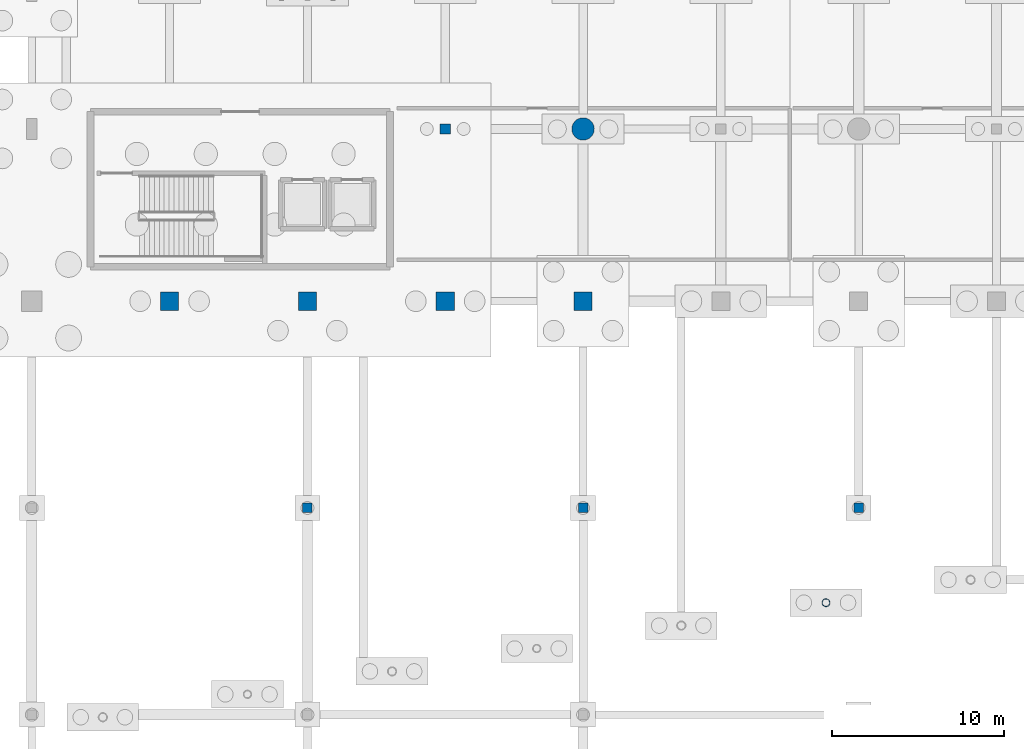
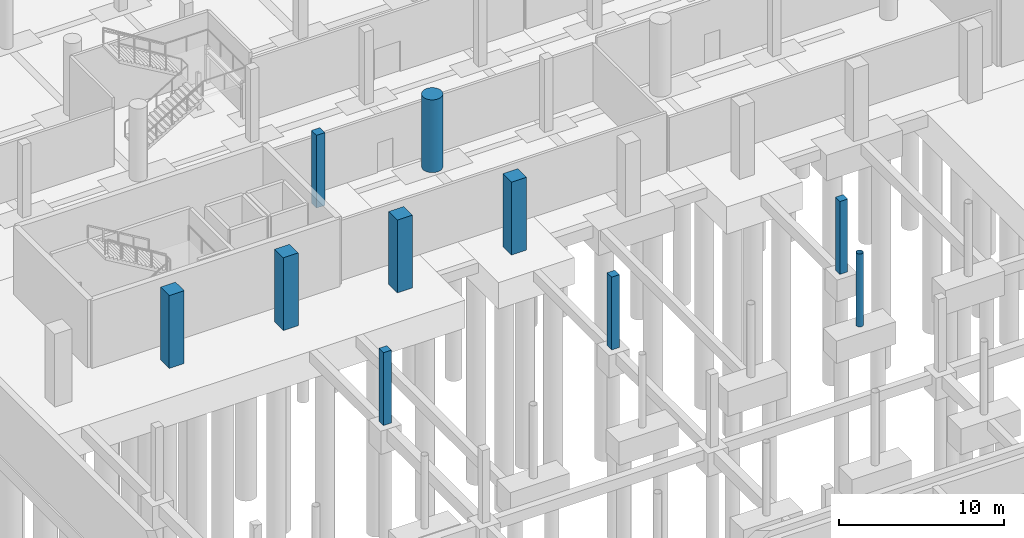
# One storey, part 23 of 65: 10 columns.
"""IFC4 building model written with IfcOpenShell, lengths in metres."""

from ifc_helpers import new_model, si_unit, direction, frame, origin, origin_2d, place, context, subcontext, project, spatial, rectangle, circle, hollow_circle, extrude, material, material_profile, profile_set, type_object, element, save


model = new_model("IFC4")

# Units and contexts
model_context = context("Model", 3, precision=1e-05, world=origin(), true_north=direction((0.0, 1.0)))
body_context = subcontext(model_context, "Body", "Model", "MODEL_VIEW")
ifc_project = project(units=[si_unit("LENGTHUNIT", "METRE"), si_unit("AREAUNIT", "SQUARE_METRE"), si_unit("VOLUMEUNIT", "CUBIC_METRE"), si_unit("PLANEANGLEUNIT", "RADIAN"), si_unit("MASSUNIT", "GRAM", prefix="KILO")], contexts=[model_context])

# Site, building, storey
site_placement = place(None, origin())
site = spatial("IfcSite", under=ifc_project, at=site_placement, CompositionType="ELEMENT")
building_placement = place(site_placement, origin())
building = spatial("IfcBuilding", under=site, at=building_placement, Name="Khorjan Park Terminus", CompositionType="ELEMENT")
storey_placement = place(building_placement, frame((0.0, 0.0, -5.4)))
storey = spatial("IfcBuildingStorey", under=building, at=storey_placement, Name="B1", CompositionType="ELEMENT", Elevation=-5.4)

# Columns
ifc_material_1 = material(Name="Concrete C50/60", Category="concrete")
ifc_material_profile_1 = material_profile(ifc_material_1, rectangle(XDim=1.05, YDim=1.05, at=origin_2d()), Name="RC 1050x1050")
ifc_profile_set_1 = profile_set([ifc_material_profile_1], Name="Concrete C50/60")
column_type_1 = type_object("IfcColumnType", Name="COL-RC1050", PredefinedType="COLUMN", material=ifc_profile_set_1)
for number, where, z_axis, x_axis, name in (
    (1, (56.0, 26.0, 0.0), (0.0, 0.0, 1.0), (1.0, 0.0, 0.0), "Structural column C-RC105 (B1 #270)"),
    (2, (64.0, 26.0, 0.0), (0.0, 0.0, 1.0), (1.0, 0.0, 0.0), "Structural column C-RC105 (B1 #285)"),
    (3, (72.0, 26.0, 0.0), (0.0, 0.0, 1.0), (1.0, 0.0, 0.0), "Structural column C-RC105 (B1 #308)"),
    (4, (80.0, 26.0, 0.0), (0.0, 0.0, 1.0), (1.0, 0.0, 0.0), "Structural column C-RC105 (B1 #324)"),
):
    element("IfcColumn", number, at=place(storey_placement, frame(where, z_axis=z_axis, x_axis=x_axis)), inside=storey, type_object=column_type_1, Name=name, PredefinedType="COLUMN", context=body_context, shape_type="SweptSolid", body=[
        extrude(rectangle(XDim=1.05, YDim=1.05, at=origin_2d()), origin(), (0.0, 0.0, 1.0), 5.4),
    ])
ifc_material_2 = material(Name="Concrete C40/50", Category="concrete")
ifc_material_profile_2 = material_profile(ifc_material_2, rectangle(XDim=0.55, YDim=0.55, at=origin_2d()), Name="RC 550x550")
ifc_profile_set_2 = profile_set([ifc_material_profile_2], Name="Concrete C40/50")
column_type_2 = type_object("IfcColumnType", Name="COL-RC550", PredefinedType="COLUMN", material=ifc_profile_set_2)
for number, where, z_axis, x_axis, name in (
    (5, (64.0, 14.0, 0.0), (0.0, 0.0, 1.0), (1.0, 0.0, 0.0), "Structural column C-RC55 (B1 #954)"),
    (6, (80.0, 14.0, 0.0), (0.0, 0.0, 1.0), (1.0, 0.0, 0.0), "Structural column C-RC55 (B1 #958)"),
    (7, (96.0, 14.0, 0.0), (0.0, 0.0, 1.0), (1.0, 0.0, 0.0), "Structural column C-RC55 (B1 #962)"),
):
    element("IfcColumn", number, at=place(storey_placement, frame(where, z_axis=z_axis, x_axis=x_axis)), inside=storey, type_object=column_type_2, Name=name, PredefinedType="COLUMN", context=body_context, shape_type="SweptSolid", body=[
        extrude(rectangle(XDim=0.55, YDim=0.55, at=origin_2d()), origin(), (0.0, 0.0, 1.0), 5.4),
    ])
ifc_material_profile_3 = material_profile(ifc_material_2, rectangle(XDim=0.6, YDim=0.6, at=origin_2d()), Name="RC 600x600")
ifc_profile_set_3 = profile_set([ifc_material_profile_3], Name="Concrete C40/50")
column_type_3 = type_object("IfcColumnType", Name="COL-RC600", PredefinedType="COLUMN", material=ifc_profile_set_3)
column_1_placement = place(storey_placement, frame((72.0, 36.0, 0.0), z_axis=(0.0, 0.0, 1.0), x_axis=(1.0, 0.0, 0.0)))
element("IfcColumn", 8, at=column_1_placement, inside=storey, type_object=column_type_3, Name="Structural column C-RC06 (B1 #313)", PredefinedType="COLUMN", context=body_context, shape_type="SweptSolid", body=[
    extrude(rectangle(XDim=0.6, YDim=0.6, at=origin_2d()), origin(), (0.0, 0.0, 1.0), 5.4),
])
ifc_material_profile_4 = material_profile(ifc_material_1, circle(Radius=0.65, at=origin_2d()), Name="RC D1300")
ifc_profile_set_4 = profile_set([ifc_material_profile_4], Name="Concrete C50/60")
column_type_4 = type_object("IfcColumnType", Name="COL-RD1300", PredefinedType="COLUMN", material=ifc_profile_set_4)
column_2_placement = place(storey_placement, frame((80.0, 36.0, 0.0), z_axis=(0.0, 0.0, 1.0), x_axis=(1.0, 0.0, 0.0)))
element("IfcColumn", 9, at=column_2_placement, inside=storey, type_object=column_type_4, Name="Structural column C-RD13 (B1 #329)", PredefinedType="COLUMN", context=body_context, shape_type="SweptSolid", body=[
    extrude(circle(Radius=0.65, at=origin_2d()), origin(), (0.0, 0.0, 1.0), 5.4),
])
ifc_material_3 = material(Name="Steel S355", Category="steel")
ifc_material_profile_5 = material_profile(ifc_material_3, hollow_circle(Radius=0.2285, WallThickness=0.016, at=origin_2d()), Name="CHS 457x16")
ifc_profile_set_5 = profile_set([ifc_material_profile_5], Name="Steel S355")
column_type_5 = type_object("IfcColumnType", Name="COL-SH457E", PredefinedType="COLUMN", material=ifc_profile_set_5)
column_3_placement = place(storey_placement, frame((94.1, 8.501, 0.0), z_axis=(0.0, 0.0, 1.0), x_axis=(0.987688340595, 0.15643446504, 0.0)))
element("IfcColumn", 10, at=column_3_placement, inside=storey, type_object=column_type_5, Name="Structural column SC-46 (B1 #575)", PredefinedType="COLUMN", context=body_context, shape_type="SweptSolid", body=[
    extrude(hollow_circle(Radius=0.2285, WallThickness=0.016, at=origin_2d()), origin(), (0.0, 0.0, 1.0), 5.4),
])

save(model, "model.ifc")
